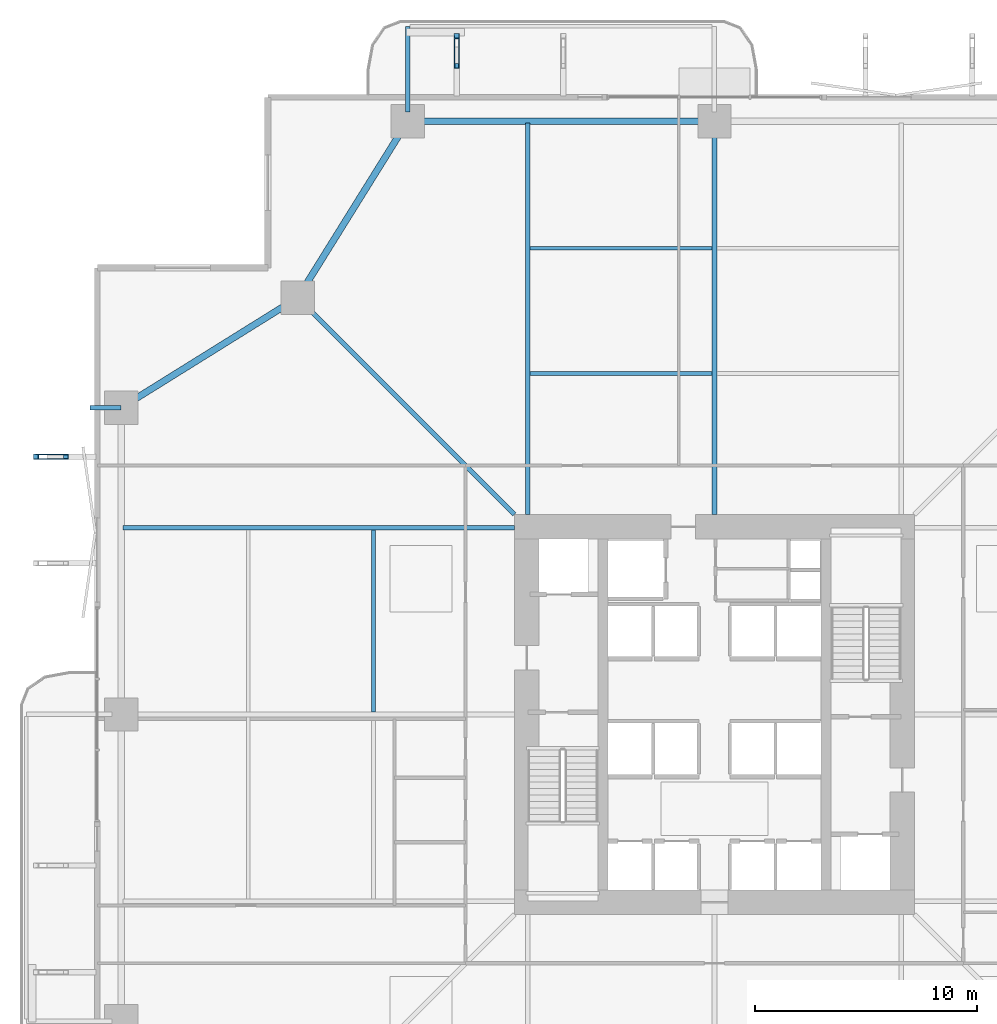
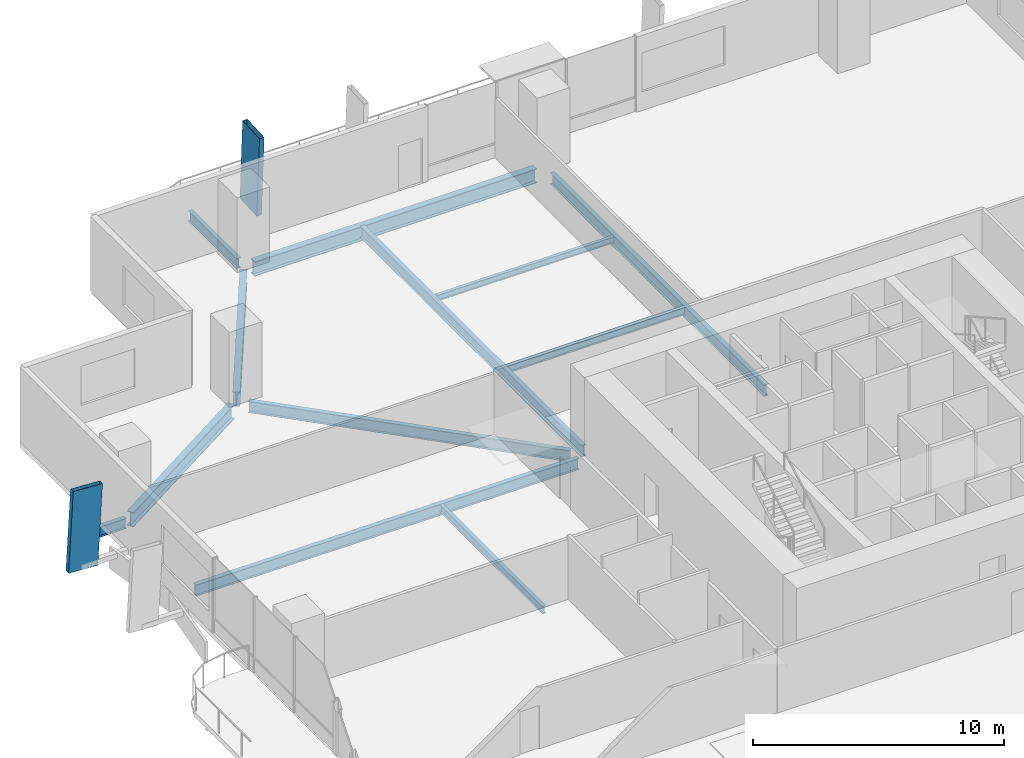
# One storey, part 10 of 23: 12 beams, 2 members.
"""IFC4 building model written with IfcOpenShell, lengths in metres."""

from ifc_helpers import new_model, si_unit, direction, frame, origin, origin_2d, place, context, subcontext, project, spatial, hollow_rectangle, i_section, extrude, material, material_profile, profile_set, type_object, element, save


model = new_model("IFC4")

# Units and contexts
model_context = context("Model", 3, precision=1e-05, world=origin(), true_north=direction((0.0, 1.0)))
body_context = subcontext(model_context, "Body", "Model", "MODEL_VIEW")
ifc_project = project(units=[si_unit("LENGTHUNIT", "METRE"), si_unit("AREAUNIT", "SQUARE_METRE"), si_unit("VOLUMEUNIT", "CUBIC_METRE"), si_unit("PLANEANGLEUNIT", "RADIAN"), si_unit("MASSUNIT", "GRAM", prefix="KILO")], contexts=[model_context])

# Site, building, storey
site_placement = place(None, origin())
site = spatial("IfcSite", under=ifc_project, at=site_placement, CompositionType="ELEMENT")
building_placement = place(site_placement, origin())
building = spatial("IfcBuilding", under=site, at=building_placement, Name="Belovzor Exchange Tower", CompositionType="ELEMENT")
storey_placement = place(building_placement, frame((0.0, 0.0, 57.300048828125)))
storey = spatial("IfcBuildingStorey", under=building, at=storey_placement, Name="L13", CompositionType="ELEMENT", Elevation=57.300048828125)

# Members
ifc_material_1 = material(Name="Extruded Architectural Terracotta on Steel S355 Carrier", Category="masonry")
ifc_material_profile_1 = material_profile(ifc_material_1, hollow_rectangle(XDim=0.219970703125, YDim=1.35009765625, WallThickness=0.013916015625, at=origin_2d()))
ifc_profile_set_1 = profile_set([ifc_material_profile_1], Name="Extruded Architectural Terracotta on Steel S355 Carrier")
member_type = type_object("IfcMemberType", Name="Base Arc Sweeping Terracotta Pylon Fin 1450", PredefinedType="USERDEFINED", material=ifc_profile_set_1)
for number, where, z_axis, x_axis, name in (
    (1, (17.199951171875, 58.762939453125, -0.25), (0.0, -0.054756839471, 0.998499718844), (1.0, 0.0, 0.0), "FIN-TC145 Terracotta Facade Fin L13 N1"),
    (2, (-1.1630859375, 40.39990234375, -0.25), (0.05481915954, 0.0, 0.998496299316), (0.0, 1.0, 0.0), "FIN-TC145 Terracotta Facade Fin L13 W4"),
):
    element("IfcMember", number, at=place(storey_placement, frame(where, z_axis=z_axis, x_axis=x_axis)), inside=storey, type_object=member_type, Name=name, ObjectType="FIN", PredefinedType="USERDEFINED", context=body_context, shape_type="SweptSolid", body=[
        extrude(hollow_rectangle(XDim=0.219970703125, YDim=1.35009765625, WallThickness=0.013916015625, at=origin_2d()), origin(), (0.0, 0.0, 1.0), 3.90576171875),
    ])

# Beams
ifc_material_2 = material(Name="Steel S355", Category="steel")
ifc_material_profile_2 = material_profile(ifc_material_2, i_section(OverallWidth=0.199951171875, OverallDepth=0.5, WebThickness=0.01025390625, FlangeThickness=0.01611328125, at=origin_2d()))
ifc_profile_set_2 = profile_set([ifc_material_profile_2], Name="Steel S355")
beam_type_1 = type_object("IfcBeamType", Name="Planted Balcony Cantilever Beam IPE 500", PredefinedType="BEAM", material=ifc_profile_set_2)
beam_1_placement = place(storey_placement, frame((15.0, 55.9130859375, -0.5), z_axis=(0.0, 1.0, 0.0), x_axis=(-1.0, 0.0, 0.0)))
element("IfcBeam", 3, at=beam_1_placement, inside=storey, type_object=beam_type_1, Name="BC-500 Planted Balcony Cantilever Beam IPE 500", PredefinedType="BEAM", context=body_context, shape_type="SweptSolid", body=[
    extrude(i_section(OverallWidth=0.199951171875, OverallDepth=0.5, WebThickness=0.01025390625, FlangeThickness=0.01611328125, at=origin_2d()), origin(), (0.0, 0.0, 1.0), 3.849853515625),
])
beam_2_placement = place(storey_placement, frame((2.10009765625, 42.60009765625, -0.5), z_axis=(-1.0, 0.0, 0.0), x_axis=(0.0, -1.0, 0.0)))
element("IfcBeam", 4, at=beam_2_placement, inside=storey, type_object=beam_type_1, Name="BC-500 Planted Balcony Cantilever Beam IPE 500", PredefinedType="BEAM", context=body_context, shape_type="SweptSolid", body=[
    extrude(i_section(OverallWidth=0.199951171875, OverallDepth=0.5, WebThickness=0.01025390625, FlangeThickness=0.01611328125, at=origin_2d()), origin(), (0.0, 0.0, 1.0), 1.400146484375),
])
ifc_material_3 = material(Name="Steel S355", Category="steel")
ifc_material_profile_3 = material_profile(ifc_material_3, i_section(OverallWidth=0.169921875, OverallDepth=0.360107421875, WebThickness=0.008056640625, FlangeThickness=0.0126953125, at=origin_2d()))
ifc_profile_set_3 = profile_set([ifc_material_profile_3], Name="Steel S355")
beam_type_2 = type_object("IfcBeamType", Name="Secondary Infill Floor Joist IPE 360", PredefinedType="BEAM", material=ifc_profile_set_3)
beam_3_placement = place(storey_placement, frame((20.5048828125, 44.14501953125, -0.429931640625), z_axis=(1.0, 0.0, 0.0), x_axis=(0.0, 1.0, 0.0)))
element("IfcBeam", 5, at=beam_3_placement, inside=storey, type_object=beam_type_2, Name="FJ-360 Secondary Infill Floor Joist IPE 360", PredefinedType="BEAM", context=body_context, shape_type="SweptSolid", body=[
    extrude(i_section(OverallWidth=0.169921875, OverallDepth=0.360107421875, WebThickness=0.008056640625, FlangeThickness=0.0126953125, at=origin_2d()), origin(), (0.0, 0.0, 1.0), 8.190185546875),
])
beam_4_placement = place(storey_placement, frame((13.455078125, 28.905029296875, -0.429931640625), z_axis=(0.0, 1.0, 0.0), x_axis=(-1.0, 0.0, 0.0)))
element("IfcBeam", 6, at=beam_4_placement, inside=storey, type_object=beam_type_2, Name="FJ-360 Secondary Infill Floor Joist IPE 360", PredefinedType="BEAM", context=body_context, shape_type="SweptSolid", body=[
    extrude(i_section(OverallWidth=0.169921875, OverallDepth=0.360107421875, WebThickness=0.008056640625, FlangeThickness=0.0126953125, at=origin_2d()), origin(), (0.0, 0.0, 1.0), 8.18994140625),
])
ifc_material_4 = material(Name="Steel S355", Category="steel")
ifc_material_profile_4 = material_profile(ifc_material_4, i_section(OverallWidth=0.14990234375, OverallDepth=0.300048828125, WebThickness=0.007080078125, FlangeThickness=0.0107421875, at=origin_2d()))
ifc_profile_set_4 = profile_set([ifc_material_profile_4], Name="Steel S355")
beam_type_3 = type_object("IfcBeamType", Name="Secondary Trim Floor Joist IPE 300", PredefinedType="BEAM", material=ifc_profile_set_4)
beam_5_placement = place(storey_placement, frame((20.5048828125, 49.784912109375, -0.400146484375), z_axis=(1.0, 0.0, 0.0), x_axis=(0.0, 1.0, 0.0)))
element("IfcBeam", 7, at=beam_5_placement, inside=storey, type_object=beam_type_3, Name="FJ-300 Secondary Trim Floor Joist IPE 300", PredefinedType="BEAM", context=body_context, shape_type="SweptSolid", body=[
    extrude(i_section(OverallWidth=0.14990234375, OverallDepth=0.300048828125, WebThickness=0.007080078125, FlangeThickness=0.0107421875, at=origin_2d()), origin(), (0.0, 0.0, 1.0), 8.190185546875),
])
ifc_material_5 = material(Name="Steel S355", Category="steel")
ifc_material_profile_5 = material_profile(ifc_material_5, i_section(OverallWidth=0.300048828125, OverallDepth=0.699951171875, WebThickness=0.01708984375, FlangeThickness=0.031982421875, at=origin_2d()))
ifc_profile_set_5 = profile_set([ifc_material_profile_5], Name="Steel S355")
beam_type_4 = type_object("IfcBeamType", Name="Zone 1 Primary Perimeter Girder HEB 700", PredefinedType="BEAM", material=ifc_profile_set_5)
beam_6_placement = place(storey_placement, frame((28.386962890625, 55.5, -0.60009765625), z_axis=(-1.0, 0.0, 0.0), x_axis=(0.0, -1.0, 0.0)))
element("IfcBeam", 8, at=beam_6_placement, inside=storey, type_object=beam_type_4, Name="FG-Z1 Zone 1 Primary Perimeter Girder HEB 700", PredefinedType="BEAM", context=body_context, shape_type="SweptSolid", body=[
    extrude(i_section(OverallWidth=0.300048828125, OverallDepth=0.699951171875, WebThickness=0.01708984375, FlangeThickness=0.031982421875, at=origin_2d()), origin(), (0.0, 0.0, 1.0), 12.974853515625),
])
for number, where, z_axis, x_axis, name in (
    (9, (14.781982421875, 55.14990234375, -0.60009765625), (-0.528538629686, -0.848909251292, 0.0), (0.848909251292, -0.528538629686, 0.0), "FG-Z1 Zone 1 Primary Perimeter Girder HEB 700"),
    (10, (9.699951171875, 47.33203125, -0.60009765625), (-0.848909251292, -0.528538629686, 0.0), (0.528538629686, -0.848909251292, 0.0), "FG-Z1 Zone 1 Primary Perimeter Girder HEB 700"),
):
    element("IfcBeam", number, at=place(storey_placement, frame(where, z_axis=z_axis, x_axis=x_axis)), inside=storey, type_object=beam_type_4, Name=name, PredefinedType="BEAM", context=body_context, shape_type="SweptSolid", body=[
        extrude(i_section(OverallWidth=0.300048828125, OverallDepth=0.699951171875, WebThickness=0.01708984375, FlangeThickness=0.031982421875, at=origin_2d()), origin(), (0.0, 0.0, 1.0), 8.540283203125),
    ])
ifc_material_6 = material(Name="Steel S355", Category="steel")
ifc_material_profile_6 = material_profile(ifc_material_6, i_section(OverallWidth=0.2099609375, OverallDepth=0.550048828125, WebThickness=0.010986328125, FlangeThickness=0.01708984375, at=origin_2d()))
ifc_profile_set_6 = profile_set([ifc_material_profile_6], Name="Steel S355")
beam_type_5 = type_object("IfcBeamType", Name="Zone 1 Radial Composite Floor Beam IPE 550", PredefinedType="BEAM", material=ifc_profile_set_6)
beam_7_placement = place(storey_placement, frame((20.39990234375, 37.800048828125, -0.525146484375), z_axis=(0.0, 1.0, 0.0), x_axis=(-1.0, 0.0, 0.0)))
element("IfcBeam", 11, at=beam_7_placement, inside=storey, type_object=beam_type_5, Name="FB-550 Zone 1 Radial Composite Floor Beam IPE 550", PredefinedType="BEAM", context=body_context, shape_type="SweptSolid", body=[
    extrude(i_section(OverallWidth=0.2099609375, OverallDepth=0.550048828125, WebThickness=0.010986328125, FlangeThickness=0.01708984375, at=origin_2d()), origin(), (0.0, 0.0, 1.0), 17.625),
])
beam_8_placement = place(storey_placement, frame((28.800048828125, 37.800048828125, -0.525146484375), z_axis=(0.0, 1.0, 0.0), x_axis=(-1.0, 0.0, 0.0)))
element("IfcBeam", 12, at=beam_8_placement, inside=storey, type_object=beam_type_5, Name="FB-550 Zone 1 Radial Composite Floor Beam IPE 550", PredefinedType="BEAM", context=body_context, shape_type="SweptSolid", body=[
    extrude(i_section(OverallWidth=0.2099609375, OverallDepth=0.550048828125, WebThickness=0.010986328125, FlangeThickness=0.01708984375, at=origin_2d()), origin(), (0.0, 0.0, 1.0), 17.0400390625),
])
beam_9_placement = place(storey_placement, frame((19.800048828125, 37.199951171875, -0.525146484375), z_axis=(-1.0, 0.0, 0.0), x_axis=(0.0, -1.0, 0.0)))
element("IfcBeam", 13, at=beam_9_placement, inside=storey, type_object=beam_type_5, Name="FB-550 Zone 1 Radial Composite Floor Beam IPE 550", PredefinedType="BEAM", context=body_context, shape_type="SweptSolid", body=[
    extrude(i_section(OverallWidth=0.2099609375, OverallDepth=0.550048828125, WebThickness=0.010986328125, FlangeThickness=0.01708984375, at=origin_2d()), origin(), (0.0, 0.0, 1.0), 17.625),
])
beam_10_placement = place(storey_placement, frame((19.800048828125, 37.800048828125, -0.525146484375), z_axis=(-0.707106781187, 0.707106781187, 0.0), x_axis=(-0.707106781187, -0.707106781187, 0.0)))
element("IfcBeam", 14, at=beam_10_placement, inside=storey, type_object=beam_type_5, Name="FB-550 Zone 1 Radial Composite Floor Beam IPE 550", PredefinedType="BEAM", context=body_context, shape_type="SweptSolid", body=[
    extrude(i_section(OverallWidth=0.2099609375, OverallDepth=0.550048828125, WebThickness=0.010986328125, FlangeThickness=0.01708984375, at=origin_2d()), origin(), (0.0, 0.0, 1.0), 13.25830078125),
])

save(model, "model.ifc")
